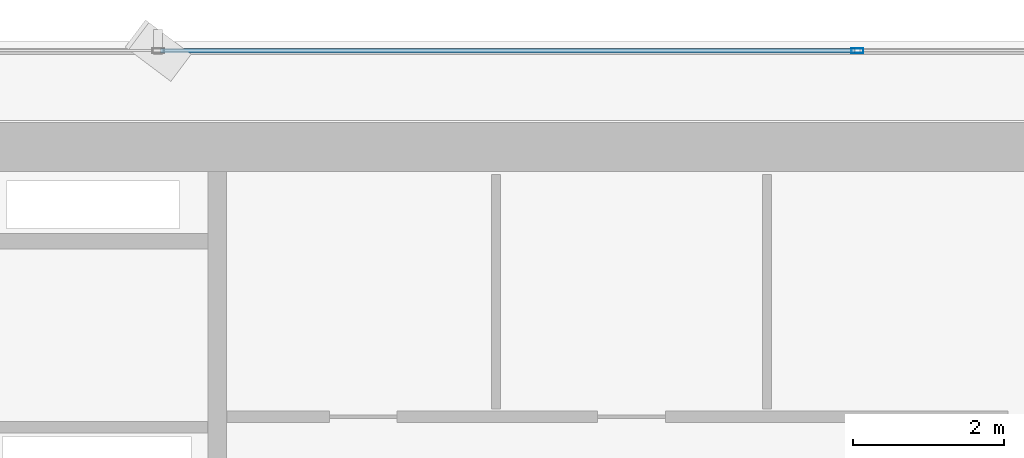
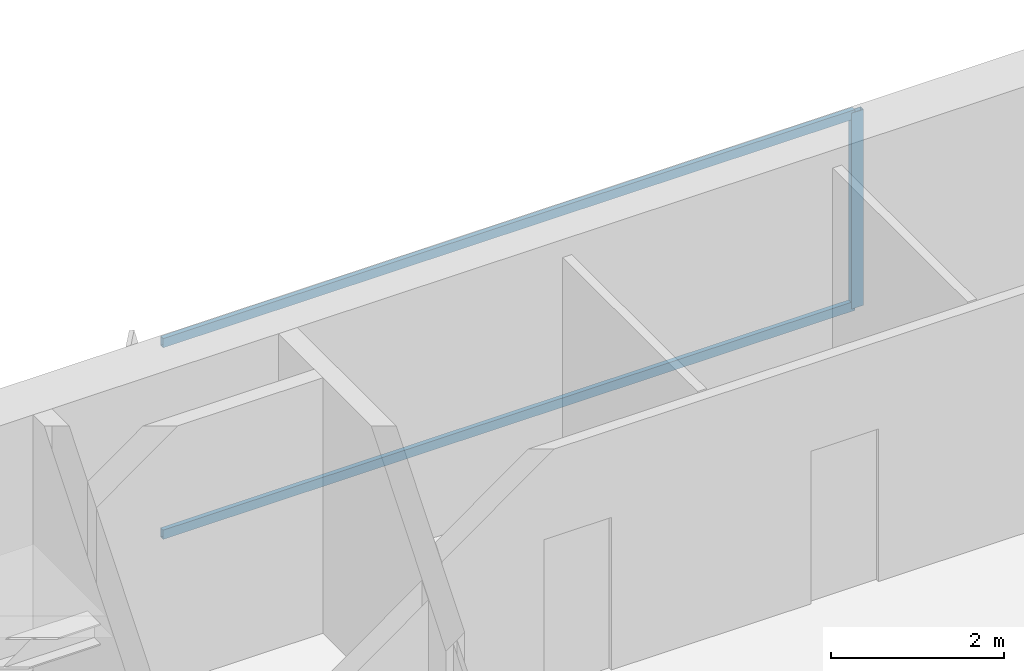
# One storey, part 16 of 28: 3 members, 1 element without a shape of its own.
"""IFC4 building model written with IfcOpenShell, lengths in metres."""

from ifc_helpers import new_model, si_unit, direction, frame, origin, origin_2d, place, context, subcontext, project, spatial, hollow_rectangle, extrude, source, transform, mapped, material, layer, layer_set, material_profile, profile_set, type_object, element, aggregate, save


model = new_model("IFC4")

# Units and contexts
model_context = context("Model", 3, precision=1e-05, world=origin(), true_north=direction((0.0, 1.0)))
body_context = subcontext(model_context, "Body", "Model", "MODEL_VIEW")
ifc_project = project(units=[si_unit("LENGTHUNIT", "METRE"), si_unit("AREAUNIT", "SQUARE_METRE"), si_unit("VOLUMEUNIT", "CUBIC_METRE"), si_unit("PLANEANGLEUNIT", "RADIAN"), si_unit("MASSUNIT", "GRAM", prefix="KILO")], contexts=[model_context])

# Site, building, storey
site_placement = place(None, origin())
site = spatial("IfcSite", under=ifc_project, at=site_placement, CompositionType="ELEMENT")
building_placement = place(site_placement, origin())
building = spatial("IfcBuilding", under=site, at=building_placement, Name="Sumidabori Civic Tower", CompositionType="ELEMENT")
storey_placement = place(building_placement, frame((0.0, 0.0, 153.199951171875)))
storey = spatial("IfcBuildingStorey", under=building, at=storey_placement, Name="L39", CompositionType="ELEMENT", Elevation=153.199951171875)

# Curtain wall, members
ifc_material = material(Name="Anodised Bronze Aluminium AW-6063-T6", Category="aluminium")
ifc_layer = layer(ifc_material, 0.179931640625, Name="Anodised Bronze Aluminium AW-6063-T6")
ifc_layer_set = layer_set([ifc_layer], Name="Anodised Bronze Aluminium AW-6063-T6")
curtain_wall_type = type_object("IfcCurtainWallType", Name="CW-SYS-3", PredefinedType="NOTDEFINED", material=ifc_layer_set)
curtain_wall_placement = place(storey_placement, origin())
curtain_wall = element("IfcCurtainWall", 1, at=curtain_wall_placement, inside=storey, type_object=curtain_wall_type, Name="Curtain Wall CW:L39:R07", PredefinedType="NOTDEFINED")
ifc_material_profile_1 = material_profile(ifc_material, hollow_rectangle(XDim=0.06494140625, YDim=0.159912109375, WallThickness=0.0048828125, at=origin_2d()), Name="ALU MULLION 160x65")
ifc_profile_set_1 = profile_set([ifc_material_profile_1], Name="Anodised Bronze Aluminium AW-6063-T6")
member_type_1 = type_object("IfcMemberType", Name="CW-MUL-160", PredefinedType="MULLION", material=ifc_profile_set_1)
shared_shape_1 = source(origin(), body_context, "Body", "SweptSolid", [
    extrude(hollow_rectangle(XDim=0.06494140625, YDim=0.159912109375, WallThickness=0.0048828125, at=origin_2d()), origin(), (0.0, 0.0, 1.0), 2.760009765625),
])
member_1_placement = place(storey_placement, frame((0.0, 25.080078125, 0.0), z_axis=(0.0, 0.0, 1.0), x_axis=(0.0, -1.0, 0.0)))
member_1 = element("IfcMember", 2, at=member_1_placement, type_object=member_type_1, Name="CW-3 mullion 3", PredefinedType="MULLION", context=body_context, shape_type="MappedRepresentation", body=[
    mapped(shared_shape_1, transform((0.0, 0.0, 0.0), x_axis=(1.0, 0.0, 0.0), y_axis=(0.0, 1.0, 0.0), z_axis=(0.0, 0.0, 1.0), scale=1.0)),
])
ifc_material_profile_2 = material_profile(ifc_material, hollow_rectangle(XDim=0.06005859375, YDim=0.1298828125, WallThickness=0.0048828125, at=origin_2d()), Name="ALU TRANSOM 130x60")
ifc_profile_set_2 = profile_set([ifc_material_profile_2], Name="Anodised Bronze Aluminium AW-6063-T6")
member_type_2 = type_object("IfcMemberType", Name="CW-TRN-130", PredefinedType="USERDEFINED", material=ifc_profile_set_2)
shared_shape_2 = source(origin(), body_context, "Body", "SweptSolid", [
    extrude(hollow_rectangle(XDim=0.06005859375, YDim=0.1298828125, WallThickness=0.0048828125, at=origin_2d()), origin(), (0.0, 0.0, 1.0), 9.219970703125),
])
member_2_placement = place(storey_placement, frame((-0.032470703125, 25.080078125, 0.030029296875), z_axis=(-1.0, 0.0, 0.0), x_axis=(0.0, -1.0, 0.0)))
member_2 = element("IfcMember", 3, at=member_2_placement, type_object=member_type_2, Name="CW-3 transom 3.1", ObjectType="TRANSOM", PredefinedType="USERDEFINED", context=body_context, shape_type="MappedRepresentation", body=[
    mapped(shared_shape_2, transform((0.0, 0.0, 0.0), x_axis=(1.0, 0.0, 0.0), y_axis=(0.0, 1.0, 0.0), z_axis=(0.0, 0.0, 1.0), scale=1.0)),
])
member_3_placement = place(storey_placement, frame((-0.032470703125, 25.080078125, 2.72998046875), z_axis=(-1.0, 0.0, 0.0), x_axis=(0.0, -1.0, 0.0)))
member_3 = element("IfcMember", 4, at=member_3_placement, type_object=member_type_2, Name="CW-3 transom 3.2", ObjectType="TRANSOM", PredefinedType="USERDEFINED", context=body_context, shape_type="MappedRepresentation", body=[
    mapped(shared_shape_2, transform((0.0, 0.0, 0.0), x_axis=(1.0, 0.0, 0.0), y_axis=(0.0, 1.0, 0.0), z_axis=(0.0, 0.0, 1.0), scale=1.0)),
])
aggregate(curtain_wall, [member_1, member_2, member_3])

save(model, "model.ifc")
